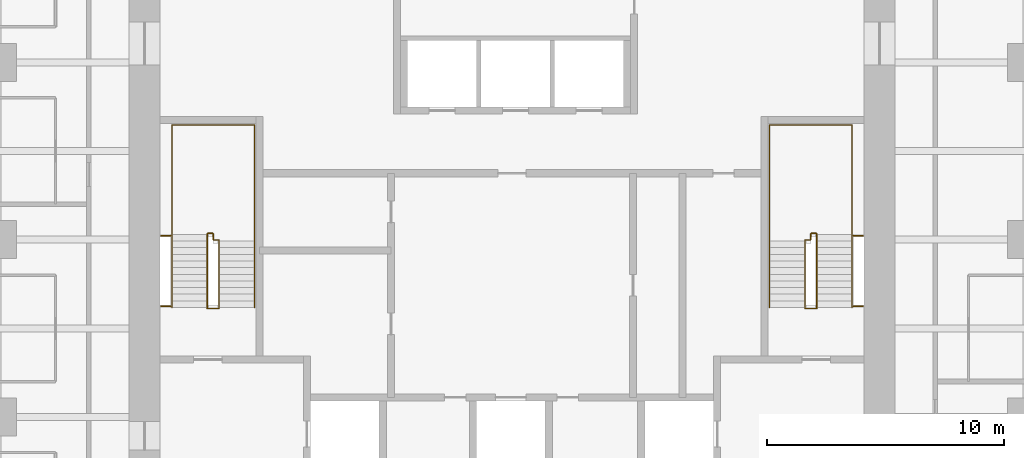
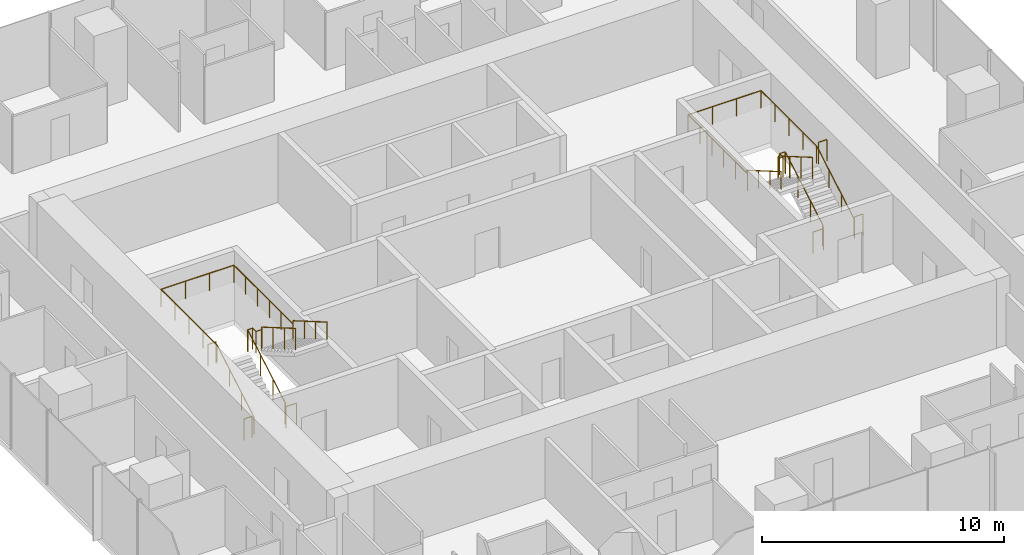
# One storey, part 12 of 12: 8 railings.
"""IFC4 building model written with IfcOpenShell, lengths in metres."""

from ifc_helpers import new_model, si_unit, direction, frame, origin, origin_2d, place, context, subcontext, project, spatial, circle, extrude, material, type_object, element, save


model = new_model("IFC4")

# Units and contexts
model_context = context("Model", 3, precision=1e-05, world=origin(), true_north=direction((0.0, 1.0)))
body_context = subcontext(model_context, "Body", "Model", "MODEL_VIEW")
ifc_project = project(units=[si_unit("LENGTHUNIT", "METRE"), si_unit("AREAUNIT", "SQUARE_METRE"), si_unit("VOLUMEUNIT", "CUBIC_METRE"), si_unit("PLANEANGLEUNIT", "RADIAN"), si_unit("MASSUNIT", "GRAM", prefix="KILO")], contexts=[model_context])

# Site, building, storey
site_placement = place(None, origin())
site = spatial("IfcSite", under=ifc_project, at=site_placement, CompositionType="ELEMENT")
building_placement = place(site_placement, origin())
building = spatial("IfcBuilding", under=site, at=building_placement, Name="Khuree Lantern Residences", CompositionType="ELEMENT")
storey_placement = place(building_placement, frame((0.0, 0.0, 315.75)))
storey = spatial("IfcBuildingStorey", under=building, at=storey_placement, Name="L79", CompositionType="ELEMENT", Elevation=315.75)

# Railings
ifc_material = material(Name="Steel S355", Category="steel")
railing_type_1 = type_object("IfcRailingType", Name="STAIR GUARD G1 1100", PredefinedType="GUARDRAIL", material=ifc_material)
railing_1_placement = place(storey_placement, frame((-12.35009765625, -2.909912109375, 0.0)))
element("IfcRailing", 1, at=railing_1_placement, inside=storey, type_object=railing_type_1, Name="Stair ST1 guard", PredefinedType="GUARDRAIL", context=body_context, shape_type="SweptSolid", body=[
    extrude(circle(Radius=0.02392578125, at=origin_2d()), frame((0.0, 0.0, 1.076171875), z_axis=(-1.0, 0.0, 0.0), x_axis=(0.0, -1.0, 0.0)), (0.0, 0.0, 1.0), 0.5),
    extrude(circle(Radius=0.02392578125, at=origin_2d()), frame((-0.5, 0.0, 1.076171875), z_axis=(0.0, 0.292073035251, 0.95639601739), x_axis=(-1.0, 0.0, 0.0)), (0.0, 0.0, 1.0), 0.17041015625),
    extrude(circle(Radius=0.02392578125, at=origin_2d()), frame((-0.5, 0.0498046875, 1.2392578125), z_axis=(0.0, 0.864176135923, 0.503189433615), x_axis=(-1.0, 0.0, 0.0)), (0.0, 0.0, 1.0), 3.564208984375),
    extrude(circle(Radius=0.02392578125, at=origin_2d()), frame((-0.5, 3.1298828125, 3.03271484375), z_axis=(0.0, 1.0, 0.0), x_axis=(-1.0, 0.0, 0.0)), (0.0, 0.0, 1.0), 0.050048828125),
    extrude(circle(Radius=0.02392578125, at=origin_2d()), frame((-0.5, 3.179931640625, 3.03271484375), z_axis=(1.0, 0.0, 0.0), x_axis=(0.0, 1.0, 0.0)), (0.0, 0.0, 1.0), 0.25),
    extrude(circle(Radius=0.02392578125, at=origin_2d()), frame((-0.25, 3.179931640625, 3.03271484375), z_axis=(0.0, -1.0, 0.0), x_axis=(1.0, 0.0, 0.0)), (0.0, 0.0, 1.0), 0.280029296875),
    extrude(circle(Radius=0.02392578125, at=origin_2d()), frame((-0.25, 2.89990234375, 3.03271484375), z_axis=(1.0, 0.0, 0.0), x_axis=(0.0, 1.0, 0.0)), (0.0, 0.0, 1.0), 0.25),
    extrude(circle(Radius=0.02392578125, at=origin_2d()), frame((0.0, 2.89990234375, 3.03271484375), z_axis=(0.0, -0.293381807449, 0.955995353053), x_axis=(1.0, 0.0, 0.0)), (0.0, 0.0, 1.0), 0.170654296875),
    extrude(circle(Radius=0.02392578125, at=origin_2d()), frame((0.0, 2.849853515625, 3.19580078125), z_axis=(0.0, -0.864180358799, 0.503182181189), x_axis=(1.0, 0.0, 0.0)), (0.0, 0.0, 1.0), 3.240234375),
    extrude(circle(Radius=0.02099609375, at=origin_2d()), origin(), (0.0, 0.0, 1.0), 1.052001953125),
    extrude(circle(Radius=0.02099609375, at=origin_2d()), frame((-0.5, 0.0, 0.0)), (0.0, 0.0, 1.0), 1.052001953125),
    extrude(circle(Radius=0.02099609375, at=origin_2d()), frame((-0.5, 0.0498046875, 0.1630859375)), (0.0, 0.0, 1.0), 1.052001953125),
    extrude(circle(Radius=0.02099609375, at=origin_2d()), frame((-0.5, 1.076416015625, 0.760986328125)), (0.0, 0.0, 1.0), 1.052001953125),
    extrude(circle(Radius=0.02099609375, at=origin_2d()), frame((-0.5, 2.103271484375, 1.358642578125)), (0.0, 0.0, 1.0), 1.052001953125),
    extrude(circle(Radius=0.02099609375, at=origin_2d()), frame((-0.5, 3.1298828125, 1.95654296875)), (0.0, 0.0, 1.0), 1.052001953125),
    extrude(circle(Radius=0.02099609375, at=origin_2d()), frame((-0.5, 3.179931640625, 1.95654296875)), (0.0, 0.0, 1.0), 1.052001953125),
    extrude(circle(Radius=0.02099609375, at=origin_2d()), frame((-0.25, 3.179931640625, 1.95654296875)), (0.0, 0.0, 1.0), 1.052001953125),
    extrude(circle(Radius=0.02099609375, at=origin_2d()), frame((-0.25, 2.89990234375, 1.95654296875)), (0.0, 0.0, 1.0), 1.052001953125),
    extrude(circle(Radius=0.02099609375, at=origin_2d()), frame((0.0, 2.89990234375, 1.95654296875)), (0.0, 0.0, 1.0), 1.052001953125),
    extrude(circle(Radius=0.02099609375, at=origin_2d()), frame((0.0, 2.849853515625, 2.11962890625)), (0.0, 0.0, 1.0), 1.052001953125),
    extrude(circle(Radius=0.02099609375, at=origin_2d()), frame((0.0, 1.91650390625, 2.6630859375)), (0.0, 0.0, 1.0), 1.052001953125),
    extrude(circle(Radius=0.02099609375, at=origin_2d()), frame((0.0, 0.983154296875, 3.20654296875)), (0.0, 0.0, 1.0), 1.052001953125),
    extrude(circle(Radius=0.02099609375, at=origin_2d()), frame((0.0, 0.0498046875, 3.75)), (0.0, 0.0, 1.0), 1.052001953125),
])
for number, where, name in (
    (2, (-14.800048828125, -2.81005859375, 0.0), "Stair ST1 landing slot guard"),
    (3, (-14.800048828125, 0.169921875, 1.95654296875), "Stair ST1 landing slot guard"),
):
    element("IfcRailing", number, at=place(storey_placement, frame(where)), inside=storey, type_object=railing_type_1, Name=name, PredefinedType="GUARDRAIL", context=body_context, shape_type="SweptSolid", body=[
        extrude(circle(Radius=0.02392578125, at=origin_2d()), frame((0.0, 0.0, 1.076171875), z_axis=(1.0, 0.0, 0.0), x_axis=(0.0, 1.0, 0.0)), (0.0, 0.0, 1.0), 0.400146484375),
        extrude(circle(Radius=0.02099609375, at=origin_2d()), origin(), (0.0, 0.0, 1.0), 1.052001953125),
        extrude(circle(Radius=0.02099609375, at=origin_2d()), frame((0.400146484375, 0.0, 0.0)), (0.0, 0.0, 1.0), 1.052001953125),
    ])
railing_2_placement = place(storey_placement, frame((12.35009765625, -2.909912109375, 0.0)))
element("IfcRailing", 4, at=railing_2_placement, inside=storey, type_object=railing_type_1, Name="Stair ST2 guard", PredefinedType="GUARDRAIL", context=body_context, shape_type="SweptSolid", body=[
    extrude(circle(Radius=0.02392578125, at=origin_2d()), frame((0.0, 0.0, 1.076171875), z_axis=(1.0, 0.0, 0.0), x_axis=(0.0, 1.0, 0.0)), (0.0, 0.0, 1.0), 0.5),
    extrude(circle(Radius=0.02392578125, at=origin_2d()), frame((0.5, 0.0, 1.076171875), z_axis=(0.0, 0.292073035251, 0.95639601739), x_axis=(-1.0, 0.0, 0.0)), (0.0, 0.0, 1.0), 0.17041015625),
    extrude(circle(Radius=0.02392578125, at=origin_2d()), frame((0.5, 0.0498046875, 1.2392578125), z_axis=(0.0, 0.864176135923, 0.503189433615), x_axis=(-1.0, 0.0, 0.0)), (0.0, 0.0, 1.0), 3.564208984375),
    extrude(circle(Radius=0.02392578125, at=origin_2d()), frame((0.5, 3.1298828125, 3.03271484375), z_axis=(0.0, 1.0, 0.0), x_axis=(-1.0, 0.0, 0.0)), (0.0, 0.0, 1.0), 0.050048828125),
    extrude(circle(Radius=0.02392578125, at=origin_2d()), frame((0.5, 3.179931640625, 3.03271484375), z_axis=(-1.0, 0.0, 0.0), x_axis=(0.0, -1.0, 0.0)), (0.0, 0.0, 1.0), 0.25),
    extrude(circle(Radius=0.02392578125, at=origin_2d()), frame((0.25, 3.179931640625, 3.03271484375), z_axis=(0.0, -1.0, 0.0), x_axis=(1.0, 0.0, 0.0)), (0.0, 0.0, 1.0), 0.280029296875),
    extrude(circle(Radius=0.02392578125, at=origin_2d()), frame((0.25, 2.89990234375, 3.03271484375), z_axis=(-1.0, 0.0, 0.0), x_axis=(0.0, -1.0, 0.0)), (0.0, 0.0, 1.0), 0.25),
    extrude(circle(Radius=0.02392578125, at=origin_2d()), frame((0.0, 2.89990234375, 3.03271484375), z_axis=(0.0, -0.293381807449, 0.955995353053), x_axis=(1.0, 0.0, 0.0)), (0.0, 0.0, 1.0), 0.170654296875),
    extrude(circle(Radius=0.02392578125, at=origin_2d()), frame((0.0, 2.849853515625, 3.19580078125), z_axis=(0.0, -0.864180358799, 0.503182181189), x_axis=(1.0, 0.0, 0.0)), (0.0, 0.0, 1.0), 3.240234375),
    extrude(circle(Radius=0.02099609375, at=origin_2d()), origin(), (0.0, 0.0, 1.0), 1.052001953125),
    extrude(circle(Radius=0.02099609375, at=origin_2d()), frame((0.5, 0.0, 0.0)), (0.0, 0.0, 1.0), 1.052001953125),
    extrude(circle(Radius=0.02099609375, at=origin_2d()), frame((0.5, 0.0498046875, 0.1630859375)), (0.0, 0.0, 1.0), 1.052001953125),
    extrude(circle(Radius=0.02099609375, at=origin_2d()), frame((0.5, 1.076416015625, 0.760986328125)), (0.0, 0.0, 1.0), 1.052001953125),
    extrude(circle(Radius=0.02099609375, at=origin_2d()), frame((0.5, 2.103271484375, 1.358642578125)), (0.0, 0.0, 1.0), 1.052001953125),
    extrude(circle(Radius=0.02099609375, at=origin_2d()), frame((0.5, 3.1298828125, 1.95654296875)), (0.0, 0.0, 1.0), 1.052001953125),
    extrude(circle(Radius=0.02099609375, at=origin_2d()), frame((0.5, 3.179931640625, 1.95654296875)), (0.0, 0.0, 1.0), 1.052001953125),
    extrude(circle(Radius=0.02099609375, at=origin_2d()), frame((0.25, 3.179931640625, 1.95654296875)), (0.0, 0.0, 1.0), 1.052001953125),
    extrude(circle(Radius=0.02099609375, at=origin_2d()), frame((0.25, 2.89990234375, 1.95654296875)), (0.0, 0.0, 1.0), 1.052001953125),
    extrude(circle(Radius=0.02099609375, at=origin_2d()), frame((0.0, 2.89990234375, 1.95654296875)), (0.0, 0.0, 1.0), 1.052001953125),
    extrude(circle(Radius=0.02099609375, at=origin_2d()), frame((0.0, 2.849853515625, 2.11962890625)), (0.0, 0.0, 1.0), 1.052001953125),
    extrude(circle(Radius=0.02099609375, at=origin_2d()), frame((0.0, 1.91650390625, 2.6630859375)), (0.0, 0.0, 1.0), 1.052001953125),
    extrude(circle(Radius=0.02099609375, at=origin_2d()), frame((0.0, 0.983154296875, 3.20654296875)), (0.0, 0.0, 1.0), 1.052001953125),
    extrude(circle(Radius=0.02099609375, at=origin_2d()), frame((0.0, 0.0498046875, 3.75)), (0.0, 0.0, 1.0), 1.052001953125),
])
for number, where, name in (
    (5, (14.800048828125, -2.81005859375, 0.0), "Stair ST2 landing slot guard"),
    (6, (14.800048828125, 0.169921875, 1.95654296875), "Stair ST2 landing slot guard"),
):
    element("IfcRailing", number, at=place(storey_placement, frame(where)), inside=storey, type_object=railing_type_1, Name=name, PredefinedType="GUARDRAIL", context=body_context, shape_type="SweptSolid", body=[
        extrude(circle(Radius=0.02392578125, at=origin_2d()), frame((0.0, 0.0, 1.076171875), z_axis=(-1.0, 0.0, 0.0), x_axis=(0.0, -1.0, 0.0)), (0.0, 0.0, 1.0), 0.400146484375),
        extrude(circle(Radius=0.02099609375, at=origin_2d()), origin(), (0.0, 0.0, 1.0), 1.052001953125),
        extrude(circle(Radius=0.02099609375, at=origin_2d()), frame((-0.400146484375, 0.0, 0.0)), (0.0, 0.0, 1.0), 1.052001953125),
    ])
railing_type_2 = type_object("IfcRailingType", Name="STAIR HANDRAIL H1 900", PredefinedType="HANDRAIL", material=ifc_material)
railing_3_placement = place(storey_placement, frame((-14.340087890625, -2.860107421875, 0.1630859375)))
element("IfcRailing", 7, at=railing_3_placement, inside=storey, type_object=railing_type_2, Name="Stair ST1 handrail", PredefinedType="HANDRAIL", context=body_context, shape_type="SweptSolid", body=[
    extrude(circle(Radius=0.02392578125, at=origin_2d()), frame((0.0, 0.0, 0.8759765625), z_axis=(0.0, 0.864176135923, 0.503189433615), x_axis=(-1.0, 0.0, 0.0)), (0.0, 0.0, 1.0), 3.564208984375),
    extrude(circle(Radius=0.02392578125, at=origin_2d()), frame((0.0, 3.080078125, 2.66943359375), z_axis=(0.0, 1.0, 0.0), x_axis=(-1.0, 0.0, 0.0)), (0.0, 0.0, 1.0), 4.6201171875),
    extrude(circle(Radius=0.02392578125, at=origin_2d()), frame((0.0, 7.7001953125, 2.66943359375), z_axis=(1.0, 0.0, 0.0), x_axis=(0.0, 1.0, 0.0)), (0.0, 0.0, 1.0), 3.47998046875),
    extrude(circle(Radius=0.02392578125, at=origin_2d()), frame((3.47998046875, 7.7001953125, 2.66943359375), z_axis=(0.0, -1.0, 0.0), x_axis=(1.0, 0.0, 0.0)), (0.0, 0.0, 1.0), 4.900146484375),
    extrude(circle(Radius=0.02392578125, at=origin_2d()), frame((3.47998046875, 2.800048828125, 2.66943359375), z_axis=(0.0, 0.0, 1.0), x_axis=(1.0, 0.0, 0.0)), (0.0, 0.0, 1.0), 0.1630859375),
    extrude(circle(Radius=0.02392578125, at=origin_2d()), frame((3.47998046875, 2.800048828125, 2.83251953125), z_axis=(0.0, -0.864180358799, 0.503182181189), x_axis=(1.0, 0.0, 0.0)), (0.0, 0.0, 1.0), 3.240234375),
    extrude(circle(Radius=0.02099609375, at=origin_2d()), origin(), (0.0, 0.0, 1.0), 0.851806640625),
    extrude(circle(Radius=0.02099609375, at=origin_2d()), frame((0.0, 1.026611328125, 0.597900390625)), (0.0, 0.0, 1.0), 0.851806640625),
    extrude(circle(Radius=0.02099609375, at=origin_2d()), frame((0.0, 2.053466796875, 1.195556640625)), (0.0, 0.0, 1.0), 0.851806640625),
    extrude(circle(Radius=0.02099609375, at=origin_2d()), frame((0.0, 3.080078125, 1.79345703125)), (0.0, 0.0, 1.0), 0.851806640625),
    extrude(circle(Radius=0.02099609375, at=origin_2d()), frame((0.0, 4.235107421875, 1.79345703125)), (0.0, 0.0, 1.0), 0.851806640625),
    extrude(circle(Radius=0.02099609375, at=origin_2d()), frame((0.0, 5.39013671875, 1.79345703125)), (0.0, 0.0, 1.0), 0.851806640625),
    extrude(circle(Radius=0.02099609375, at=origin_2d()), frame((0.0, 6.545166015625, 1.79345703125)), (0.0, 0.0, 1.0), 0.851806640625),
    extrude(circle(Radius=0.02099609375, at=origin_2d()), frame((0.0, 7.7001953125, 1.79345703125)), (0.0, 0.0, 1.0), 0.851806640625),
    extrude(circle(Radius=0.02099609375, at=origin_2d()), frame((1.159912109375, 7.7001953125, 1.79345703125)), (0.0, 0.0, 1.0), 0.851806640625),
    extrude(circle(Radius=0.02099609375, at=origin_2d()), frame((2.320068359375, 7.7001953125, 1.79345703125)), (0.0, 0.0, 1.0), 0.851806640625),
    extrude(circle(Radius=0.02099609375, at=origin_2d()), frame((3.47998046875, 7.7001953125, 1.79345703125)), (0.0, 0.0, 1.0), 0.851806640625),
    extrude(circle(Radius=0.02099609375, at=origin_2d()), frame((3.47998046875, 6.72021484375, 1.79345703125)), (0.0, 0.0, 1.0), 0.851806640625),
    extrude(circle(Radius=0.02099609375, at=origin_2d()), frame((3.47998046875, 5.740234375, 1.79345703125)), (0.0, 0.0, 1.0), 0.851806640625),
    extrude(circle(Radius=0.02099609375, at=origin_2d()), frame((3.47998046875, 4.760009765625, 1.79345703125)), (0.0, 0.0, 1.0), 0.851806640625),
    extrude(circle(Radius=0.02099609375, at=origin_2d()), frame((3.47998046875, 3.780029296875, 1.79345703125)), (0.0, 0.0, 1.0), 0.851806640625),
    extrude(circle(Radius=0.02099609375, at=origin_2d()), frame((3.47998046875, 2.800048828125, 1.79345703125)), (0.0, 0.0, 1.0), 0.851806640625),
    extrude(circle(Radius=0.02099609375, at=origin_2d()), frame((3.47998046875, 2.800048828125, 1.95654296875)), (0.0, 0.0, 1.0), 0.851806640625),
    extrude(circle(Radius=0.02099609375, at=origin_2d()), frame((3.47998046875, 1.86669921875, 2.5)), (0.0, 0.0, 1.0), 0.851806640625),
    extrude(circle(Radius=0.02099609375, at=origin_2d()), frame((3.47998046875, 0.933349609375, 3.04345703125)), (0.0, 0.0, 1.0), 0.851806640625),
    extrude(circle(Radius=0.02099609375, at=origin_2d()), frame((3.47998046875, 0.0, 3.5869140625)), (0.0, 0.0, 1.0), 0.851806640625),
])
railing_4_placement = place(storey_placement, frame((14.340087890625, -2.860107421875, 0.1630859375)))
element("IfcRailing", 8, at=railing_4_placement, inside=storey, type_object=railing_type_2, Name="Stair ST2 handrail", PredefinedType="HANDRAIL", context=body_context, shape_type="SweptSolid", body=[
    extrude(circle(Radius=0.02392578125, at=origin_2d()), frame((0.0, 0.0, 0.8759765625), z_axis=(0.0, 0.864176135923, 0.503189433615), x_axis=(-1.0, 0.0, 0.0)), (0.0, 0.0, 1.0), 3.564208984375),
    extrude(circle(Radius=0.02392578125, at=origin_2d()), frame((0.0, 3.080078125, 2.66943359375), z_axis=(0.0, 1.0, 0.0), x_axis=(-1.0, 0.0, 0.0)), (0.0, 0.0, 1.0), 4.6201171875),
    extrude(circle(Radius=0.02392578125, at=origin_2d()), frame((0.0, 7.7001953125, 2.66943359375), z_axis=(-1.0, 0.0, 0.0), x_axis=(0.0, -1.0, 0.0)), (0.0, 0.0, 1.0), 3.47998046875),
    extrude(circle(Radius=0.02392578125, at=origin_2d()), frame((-3.47998046875, 7.7001953125, 2.66943359375), z_axis=(0.0, -1.0, 0.0), x_axis=(1.0, 0.0, 0.0)), (0.0, 0.0, 1.0), 4.900146484375),
    extrude(circle(Radius=0.02392578125, at=origin_2d()), frame((-3.47998046875, 2.800048828125, 2.66943359375), z_axis=(0.0, 0.0, 1.0), x_axis=(1.0, 0.0, 0.0)), (0.0, 0.0, 1.0), 0.1630859375),
    extrude(circle(Radius=0.02392578125, at=origin_2d()), frame((-3.47998046875, 2.800048828125, 2.83251953125), z_axis=(0.0, -0.864180358799, 0.503182181189), x_axis=(1.0, 0.0, 0.0)), (0.0, 0.0, 1.0), 3.240234375),
    extrude(circle(Radius=0.02099609375, at=origin_2d()), origin(), (0.0, 0.0, 1.0), 0.851806640625),
    extrude(circle(Radius=0.02099609375, at=origin_2d()), frame((0.0, 1.026611328125, 0.597900390625)), (0.0, 0.0, 1.0), 0.851806640625),
    extrude(circle(Radius=0.02099609375, at=origin_2d()), frame((0.0, 2.053466796875, 1.195556640625)), (0.0, 0.0, 1.0), 0.851806640625),
    extrude(circle(Radius=0.02099609375, at=origin_2d()), frame((0.0, 3.080078125, 1.79345703125)), (0.0, 0.0, 1.0), 0.851806640625),
    extrude(circle(Radius=0.02099609375, at=origin_2d()), frame((0.0, 4.235107421875, 1.79345703125)), (0.0, 0.0, 1.0), 0.851806640625),
    extrude(circle(Radius=0.02099609375, at=origin_2d()), frame((0.0, 5.39013671875, 1.79345703125)), (0.0, 0.0, 1.0), 0.851806640625),
    extrude(circle(Radius=0.02099609375, at=origin_2d()), frame((0.0, 6.545166015625, 1.79345703125)), (0.0, 0.0, 1.0), 0.851806640625),
    extrude(circle(Radius=0.02099609375, at=origin_2d()), frame((0.0, 7.7001953125, 1.79345703125)), (0.0, 0.0, 1.0), 0.851806640625),
    extrude(circle(Radius=0.02099609375, at=origin_2d()), frame((-1.159912109375, 7.7001953125, 1.79345703125)), (0.0, 0.0, 1.0), 0.851806640625),
    extrude(circle(Radius=0.02099609375, at=origin_2d()), frame((-2.320068359375, 7.7001953125, 1.79345703125)), (0.0, 0.0, 1.0), 0.851806640625),
    extrude(circle(Radius=0.02099609375, at=origin_2d()), frame((-3.47998046875, 7.7001953125, 1.79345703125)), (0.0, 0.0, 1.0), 0.851806640625),
    extrude(circle(Radius=0.02099609375, at=origin_2d()), frame((-3.47998046875, 6.72021484375, 1.79345703125)), (0.0, 0.0, 1.0), 0.851806640625),
    extrude(circle(Radius=0.02099609375, at=origin_2d()), frame((-3.47998046875, 5.740234375, 1.79345703125)), (0.0, 0.0, 1.0), 0.851806640625),
    extrude(circle(Radius=0.02099609375, at=origin_2d()), frame((-3.47998046875, 4.760009765625, 1.79345703125)), (0.0, 0.0, 1.0), 0.851806640625),
    extrude(circle(Radius=0.02099609375, at=origin_2d()), frame((-3.47998046875, 3.780029296875, 1.79345703125)), (0.0, 0.0, 1.0), 0.851806640625),
    extrude(circle(Radius=0.02099609375, at=origin_2d()), frame((-3.47998046875, 2.800048828125, 1.79345703125)), (0.0, 0.0, 1.0), 0.851806640625),
    extrude(circle(Radius=0.02099609375, at=origin_2d()), frame((-3.47998046875, 2.800048828125, 1.95654296875)), (0.0, 0.0, 1.0), 0.851806640625),
    extrude(circle(Radius=0.02099609375, at=origin_2d()), frame((-3.47998046875, 1.86669921875, 2.5)), (0.0, 0.0, 1.0), 0.851806640625),
    extrude(circle(Radius=0.02099609375, at=origin_2d()), frame((-3.47998046875, 0.933349609375, 3.04345703125)), (0.0, 0.0, 1.0), 0.851806640625),
    extrude(circle(Radius=0.02099609375, at=origin_2d()), frame((-3.47998046875, 0.0, 3.5869140625)), (0.0, 0.0, 1.0), 0.851806640625),
])

save(model, "model.ifc")
